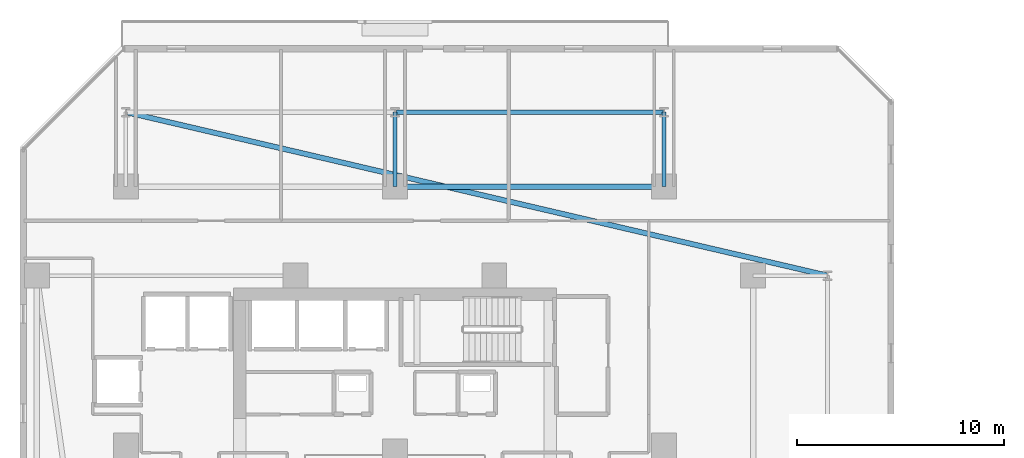
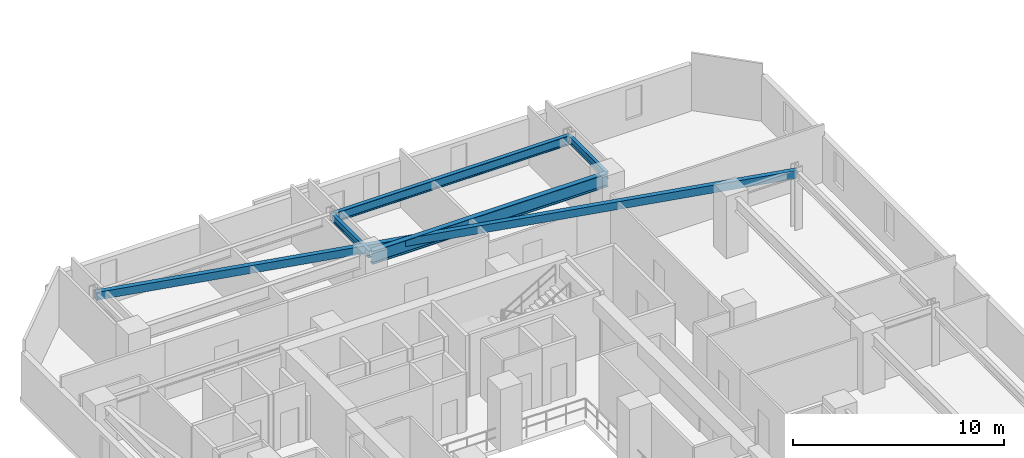
# One storey, part 9 of 31: 5 beams.
"""IFC4 building model written with IfcOpenShell, lengths in metres."""

from ifc_helpers import new_model, si_unit, direction, frame, origin, origin_2d, place, context, subcontext, project, spatial, hollow_rectangle, i_section, extrude, material, material_profile, profile_set, type_object, element, save


model = new_model("IFC4")

# Units and contexts
model_context = context("Model", 3, precision=1e-05, world=origin(), true_north=direction((0.0, 1.0)))
body_context = subcontext(model_context, "Body", "Model", "MODEL_VIEW")
ifc_project = project(units=[si_unit("LENGTHUNIT", "METRE"), si_unit("AREAUNIT", "SQUARE_METRE"), si_unit("VOLUMEUNIT", "CUBIC_METRE"), si_unit("PLANEANGLEUNIT", "RADIAN"), si_unit("MASSUNIT", "GRAM", prefix="KILO")], contexts=[model_context])

# Site, building, storey
site_placement = place(None, origin())
site = spatial("IfcSite", under=ifc_project, at=site_placement, CompositionType="ELEMENT")
building_placement = place(site_placement, origin())
building = spatial("IfcBuilding", under=site, at=building_placement, Name="Thornwick Lancets Civic Towers", CompositionType="ELEMENT")
storey_placement = place(building_placement, frame((0.0, 0.0, 90.89990234375)))
storey = spatial("IfcBuildingStorey", under=building, at=storey_placement, Name="L23", CompositionType="ELEMENT", Elevation=90.89990234375)

# Beams
ifc_material = material(Name="Steel S355JR", Category="steel")
ifc_material_profile_1 = material_profile(ifc_material, i_section(OverallWidth=0.2119140625, OverallDepth=0.54443359375, WebThickness=0.0126953125, FlangeThickness=0.021240234375, FilletRadius=0.0126953125, at=origin_2d()), Name="UKB 533x210x122")
ifc_profile_set_1 = profile_set([ifc_material_profile_1], Name="Steel S355JR")
beam_type_1 = type_object("IfcBeamType", Name="BM_EDGE_533_122", PredefinedType="SPANDREL", material=ifc_profile_set_1)
beam_1_placement = place(storey_placement, frame((25.580078125, 47.89990234375, 3.087890625), z_axis=(1.0, 0.0, 0.0), x_axis=(0.0, 1.0, 0.0)))
element("IfcBeam", 1, at=beam_1_placement, inside=storey, type_object=beam_type_1, Name="BM-EDGE-L23-A-S2-2", PredefinedType="SPANDREL", context=body_context, shape_type="SweptSolid", body=[
    extrude(i_section(OverallWidth=0.2119140625, OverallDepth=0.54443359375, WebThickness=0.0126953125, FlangeThickness=0.021240234375, FilletRadius=0.0126953125, at=origin_2d()), origin(), (0.0, 0.0, 1.0), 12.919921875),
])
ifc_material_profile_2 = material_profile(ifc_material, i_section(OverallWidth=0.26806640625, OverallDepth=0.769775390625, WebThickness=0.015625, FlangeThickness=0.025390625, FilletRadius=0.0166015625, at=origin_2d()), Name="UKB 762x267x197")
ifc_profile_set_2 = profile_set([ifc_material_profile_2], Name="Steel S355JR")
beam_type_2 = type_object("IfcBeamType", Name="BM_GIRD_762_197", PredefinedType="BEAM", material=ifc_profile_set_2)
beam_2_placement = place(storey_placement, frame((25.580078125, 44.300048828125, 2.97509765625), z_axis=(1.0, 0.0, 0.0), x_axis=(0.0, 1.0, 0.0)))
element("IfcBeam", 2, at=beam_2_placement, inside=storey, type_object=beam_type_2, Name="BM-SPINE-L23-A-7-8", PredefinedType="BEAM", context=body_context, shape_type="SweptSolid", body=[
    extrude(i_section(OverallWidth=0.26806640625, OverallDepth=0.769775390625, WebThickness=0.015625, FlangeThickness=0.025390625, FilletRadius=0.0166015625, at=origin_2d()), origin(), (0.0, 0.0, 1.0), 12.919921875),
])
ifc_material_profile_3 = material_profile(ifc_material, i_section(OverallWidth=0.179443359375, OverallDepth=0.412841796875, WebThickness=0.009521484375, FlangeThickness=0.01611328125, FilletRadius=0.01025390625, at=origin_2d()), Name="UKB 406x178x74")
ifc_profile_set_3 = profile_set([ifc_material_profile_3], Name="Steel S355JR")
beam_type_3 = type_object("IfcBeamType", Name="BM_JOIST_406_74", PredefinedType="JOIST", material=ifc_profile_set_3)
for number, where, z_axis, x_axis, name in (
    (3, (25.5, 44.300048828125, 3.15380859375), (0.0, 1.0, 0.0), (-1.0, 0.0, 0.0), "BM-RAD-L23-A08"),
    (4, (38.5, 44.300048828125, 3.15380859375), (0.0, 1.0, 0.0), (-1.0, 0.0, 0.0), "BM-RAD-L23-A09"),
):
    element("IfcBeam", number, at=place(storey_placement, frame(where, z_axis=z_axis, x_axis=x_axis)), inside=storey, type_object=beam_type_3, Name=name, PredefinedType="JOIST", context=body_context, shape_type="SweptSolid", body=[
        extrude(i_section(OverallWidth=0.179443359375, OverallDepth=0.412841796875, WebThickness=0.009521484375, FlangeThickness=0.01611328125, FilletRadius=0.01025390625, at=origin_2d()), origin(), (0.0, 0.0, 1.0), 3.599853515625),
    ])
ifc_material_profile_4 = material_profile(ifc_material, hollow_rectangle(XDim=0.25, YDim=0.449951171875, WallThickness=0.01611328125, at=origin_2d()), Name="RHS 450x250x16")
ifc_profile_set_4 = profile_set([ifc_material_profile_4], Name="Steel S355JR")
beam_type_4 = type_object("IfcBeamType", Name="BM_RING_RHS450", PredefinedType="BEAM", material=ifc_profile_set_4)
beam_3_placement = place(storey_placement, frame((46.39990234375, 40.0, 3.135009765625), z_axis=(-0.973905219823, 0.226955111866, 0.0), x_axis=(-0.226955111866, -0.973905219823, 0.0)))
element("IfcBeam", 5, at=beam_3_placement, inside=storey, type_object=beam_type_4, Name="BM-CHAMF-L23-A-C1", PredefinedType="BEAM", context=body_context, shape_type="SweptSolid", body=[
    extrude(hollow_rectangle(XDim=0.25, YDim=0.449951171875, WallThickness=0.01611328125, at=origin_2d()), origin(), (0.0, 0.0, 1.0), 34.80810546875),
])

save(model, "model.ifc")
